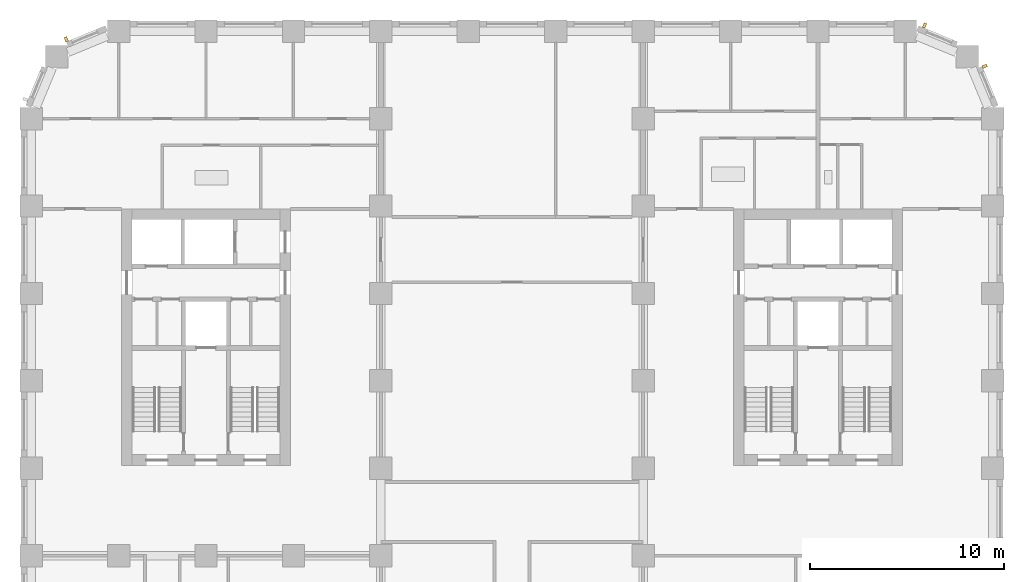
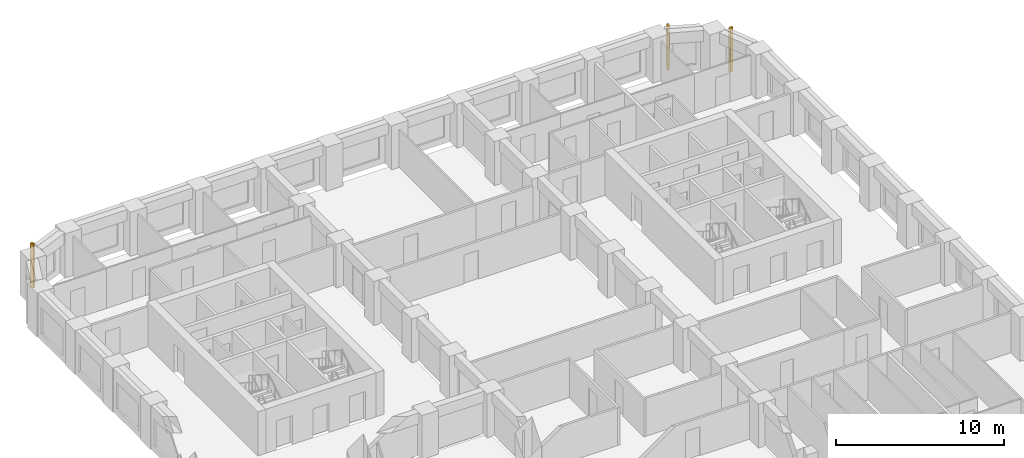
# One storey, part 11 of 12: 3 shading devices.
"""IFC4 building model written with IfcOpenShell, lengths in metres."""

import ifcopenshell
import ifcopenshell.guid

model = None  # the IFC model being written
_history = None  # IfcOwnerHistory: only IFC2X3 demands one
_inside = {}  # id of a spatial element -> (the spatial element, [elements in it])
_under = {}  # id of a project, library or spatial element -> (it, [spatial elements below it])
_declared = {}  # id of a project -> (the project, [libraries it declares])
_typed = {}  # id of a type object -> (the type object, [elements of that type])
_made_of = {}  # id of a material, layer set ... -> (it, [elements and type objects made of it])


def new_model(schema):
    """Start an empty IFC model of exactly this schema.

    Asked for "IFC4X3", IfcOpenShell would pick the latest addendum, in which some entities
    have other attributes; the version numbers below select the first issue.
    IFC2X3 requires an IfcOwnerHistory on every rooted entity: one is made here for all.
    """
    global model, _history
    if schema == "IFC4X3":
        model = ifcopenshell.file(schema_version=(4, 3, 0, 0))
    else:
        model = ifcopenshell.file(schema=schema)
    _inside.clear()
    _under.clear()
    _declared.clear()
    _typed.clear()
    _made_of.clear()
    _history = None
    if model.schema == "IFC2X3":
        org = make("IfcOrganization", Name="unknown")
        user = make(
            "IfcPersonAndOrganization",
            ThePerson=make("IfcPerson", FamilyName="unknown"),
            TheOrganization=org,
        )
        app = make(
            "IfcApplication",
            ApplicationDeveloper=org,
            Version="unknown",
            ApplicationFullName="unknown",
            ApplicationIdentifier="unknown",
        )
        _history = make(
            "IfcOwnerHistory",
            OwningUser=user,
            OwningApplication=app,
            ChangeAction="ADDED",
            CreationDate=0,
        )
    return model


def make(cls, **values):
    """One entity of the class cls with the attributes given. An attribute that is None is left unset."""
    return model.create_entity(
        cls, **{name: value for name, value in values.items() if value is not None}
    )


def rooted(cls, **values):
    """An entity with a GlobalId (a new one), such as an element, a storey or a relation."""
    return make(cls, GlobalId=ifcopenshell.guid.new(), OwnerHistory=_history, **values)


def si_unit(unit_type, name, prefix=None):
    """IfcSIUnit, for example si_unit("LENGTHUNIT", "METRE", prefix="MILLI")."""
    return make("IfcSIUnit", UnitType=unit_type, Prefix=prefix, Name=name)


def assignment(units):
    """IfcUnitAssignment: the units of a project."""
    return None if units is None else make("IfcUnitAssignment", Units=units)


def point(xyz):
    """IfcCartesianPoint."""
    return None if xyz is None else make("IfcCartesianPoint", Coordinates=xyz)


def direction(xyz):
    """IfcDirection."""
    return None if xyz is None else make("IfcDirection", DirectionRatios=xyz)


def frame(location, z_axis=None, x_axis=None):
    """IfcAxis2Placement3D, a coordinate frame: its origin and axes. An axis left out is left unset."""
    return make(
        "IfcAxis2Placement3D",
        Location=point(location),
        Axis=direction(z_axis),
        RefDirection=direction(x_axis),
    )


def frame_2d(location, x_axis=None):
    """IfcAxis2Placement2D, a coordinate frame in the plane: its origin and x axis."""
    return make(
        "IfcAxis2Placement2D", Location=point(location), RefDirection=direction(x_axis)
    )


def origin():
    """The frame at (0, 0, 0) with its axes left unset."""
    return frame((0.0, 0.0, 0.0))


def origin_2d():
    """The frame at (0, 0) in the plane with its x axis left unset."""
    return frame_2d((0.0, 0.0))


def place(relative_to, where):
    """IfcLocalPlacement: puts the frame where relative to a parent placement (None: the world)."""
    return make(
        "IfcLocalPlacement", PlacementRelTo=relative_to, RelativePlacement=where
    )


def context(
    kind, dimensions, precision=None, world=None, true_north=None, identifier=None
):
    """IfcGeometricRepresentationContext, for example the 3D "Model" context."""
    return make(
        "IfcGeometricRepresentationContext",
        ContextIdentifier=identifier,
        ContextType=kind,
        CoordinateSpaceDimension=dimensions,
        Precision=precision,
        WorldCoordinateSystem=world,
        TrueNorth=true_north,
    )


def subcontext(parent, identifier, kind, view, scale=None):
    """IfcGeometricRepresentationSubContext, for example "Body" below "Model"."""
    return make(
        "IfcGeometricRepresentationSubContext",
        ContextIdentifier=identifier,
        ContextType=kind,
        ParentContext=parent,
        TargetScale=scale,
        TargetView=view,
    )


def project(units=None, contexts=None):
    """IfcProject with its units and contexts."""
    return rooted(
        "IfcProject",
        Name="project",
        RepresentationContexts=contexts,
        UnitsInContext=assignment(units),
    )


def spatial(cls, under=None, at=None, **own):
    """A site, building, storey or space (cls), placed at a placement, below another one or the project."""
    s = rooted(cls, ObjectPlacement=at, **own)
    if under is not None:
        _under.setdefault(under.id(), (under, []))[1].append(s)
    return s


def profile(cls, at=None, kind="AREA", **sizes):
    """A parametric profile (cls). Its sizes go by their IFC names, for example OverallWidth=200.0."""
    return make(cls, ProfileType=kind, Position=at, **sizes)


def rectangle(**sizes):
    """IfcRectangleProfileDef."""
    return profile("IfcRectangleProfileDef", **sizes)


def extrude(swept, where, along, depth):
    """IfcExtrudedAreaSolid: the profile swept, set in the frame where, extruded along a direction by depth."""
    return make(
        "IfcExtrudedAreaSolid",
        SweptArea=swept,
        Position=where,
        ExtrudedDirection=direction(along),
        Depth=depth,
    )


def shape(context_of_items, identifier, shape_type, items):
    """IfcShapeRepresentation: the items that make up one representation, for example the "Body"."""
    return make(
        "IfcShapeRepresentation",
        ContextOfItems=context_of_items,
        RepresentationIdentifier=identifier,
        RepresentationType=shape_type,
        Items=items,
    )


def material(Name=None, Category=None):
    """IfcMaterial."""
    return make("IfcMaterial", Name=Name, Category=Category)


def made_of(thing, what):
    """Note that an element or type object is made of a material, layer set ...; save() writes the relation."""
    if what is not None:
        _made_of.setdefault(what.id(), (what, []))[1].append(thing)
    return thing


def type_object(cls, material=None, **own):
    """A type object (cls), such as IfcWallType, which elements share."""
    return made_of(rooted(cls, **own), material)


def element(
    cls,
    number,
    at=None,
    inside=None,
    cuts=None,
    type_object=None,
    material=None,
    context=None,
    identifier="Body",
    shape_type=None,
    held_by="IfcProductDefinitionShape",
    body=None,
    shapes=None,
    **own,
):
    """One element of the class cls, such as IfcWall. Its Tag is "e" and its number.

    at: its placement. inside: the storey or other place that contains it. cuts: it is an
    opening in that element (IfcRelVoidsElement). A single representation is given by context,
    identifier, shape_type and body (its items); several are given by shapes. held_by: the class
    of the entity that holds the representations. save() writes the other relations.
    """
    e = rooted(cls, Tag="e%d" % number, ObjectPlacement=at, **own)
    if body is not None:
        shapes = [shape(context, identifier, shape_type, body)]
    if shapes is not None:
        e.Representation = make(held_by, Representations=shapes)
    if inside is not None:
        _inside.setdefault(inside.id(), (inside, []))[1].append(e)
    if cuts is not None:
        rooted(
            "IfcRelVoidsElement", RelatingBuildingElement=cuts, RelatedOpeningElement=e
        )
    if type_object is not None:
        _typed.setdefault(type_object.id(), (type_object, []))[1].append(e)
    return made_of(e, material)


def aggregate(whole, parts):
    """IfcRelAggregates: a whole, such as a stair, and the parts it consists of."""
    return rooted("IfcRelAggregates", RelatingObject=whole, RelatedObjects=parts)


def save(model, path):
    """Write the relations noted so far, then the file.

    IfcRelAggregates (storeys below a building ...), IfcRelContainedInSpatialStructure (elements
    in a storey), IfcRelDefinesByType, IfcRelAssociatesMaterial and IfcRelDeclares: one each for
    every whole, place, type object, material and project.
    """
    for whole, parts in _under.values():
        aggregate(whole, parts)
    for where, things in _inside.values():
        rooted(
            "IfcRelContainedInSpatialStructure",
            RelatedElements=things,
            RelatingStructure=where,
        )
    for kind, things in _typed.values():
        rooted("IfcRelDefinesByType", RelatedObjects=things, RelatingType=kind)
    for what, things in _made_of.values():
        rooted("IfcRelAssociatesMaterial", RelatedObjects=things, RelatingMaterial=what)
    for by, libraries in _declared.values():
        rooted("IfcRelDeclares", RelatingContext=by, RelatedDefinitions=libraries)
    model.write(path)


model = new_model("IFC4")

# Units and contexts
model_context = context("Model", 3, precision=1e-05, world=origin(), true_north=direction((0.0, 1.0)))
body_context = subcontext(model_context, "Body", "Model", "MODEL_VIEW")
ifc_project = project(units=[si_unit("LENGTHUNIT", "METRE"), si_unit("AREAUNIT", "SQUARE_METRE"), si_unit("VOLUMEUNIT", "CUBIC_METRE"), si_unit("PLANEANGLEUNIT", "RADIAN"), si_unit("MASSUNIT", "GRAM", prefix="KILO")], contexts=[model_context])

# Site, building, storey
site_placement = place(None, origin())
site = spatial("IfcSite", under=ifc_project, at=site_placement, CompositionType="ELEMENT")
building_placement = place(site_placement, origin())
building = spatial("IfcBuilding", under=site, at=building_placement, Name="Girih Gate Residences", CompositionType="ELEMENT")
storey_placement = place(building_placement, frame((0.0, 0.0, 112.0)))
storey = spatial("IfcBuildingStorey", under=building, at=storey_placement, Name="L31", CompositionType="ELEMENT", Elevation=112.0)

# Shading devices
ifc_material = material(Name="Precast concrete C50/60", Category="concrete")
shading_device_type = type_object("IfcShadingDeviceType", Name="Corner rib 150x250", PredefinedType="USERDEFINED", material=ifc_material)
for number, where, z_axis, x_axis, name in (
    (1, (49.087646484375, 47.6943359375, 0.0), (0.0, 0.0, 1.0), (-0.382683432365, 0.923879532511, 0.0), "Corner rib NE0495_0450.0"),
    (2, (45.985107421875, 49.79541015625, 0.0), (0.0, 0.0, 1.0), (-0.923879532511, 0.382683432365, 0.0), "Corner rib NE0482_0482.0"),
    (3, (1.8056640625, 49.087646484375, 0.0), (0.0, 0.0, 1.0), (-0.923879532511, -0.382683432365, 0.0), "Corner rib NW0045_0495.0"),
):
    element("IfcShadingDevice", number, at=place(storey_placement, frame(where, z_axis=z_axis, x_axis=x_axis)), inside=storey, type_object=shading_device_type, Name=name, ObjectType="FIN", PredefinedType="USERDEFINED", context=body_context, shape_type="SweptSolid", body=[
        extrude(rectangle(XDim=0.14990234375, YDim=0.25, at=origin_2d()), origin(), (0.0, 0.0, 1.0), 3.199951171875),
    ])

save(model, "model.ifc")
